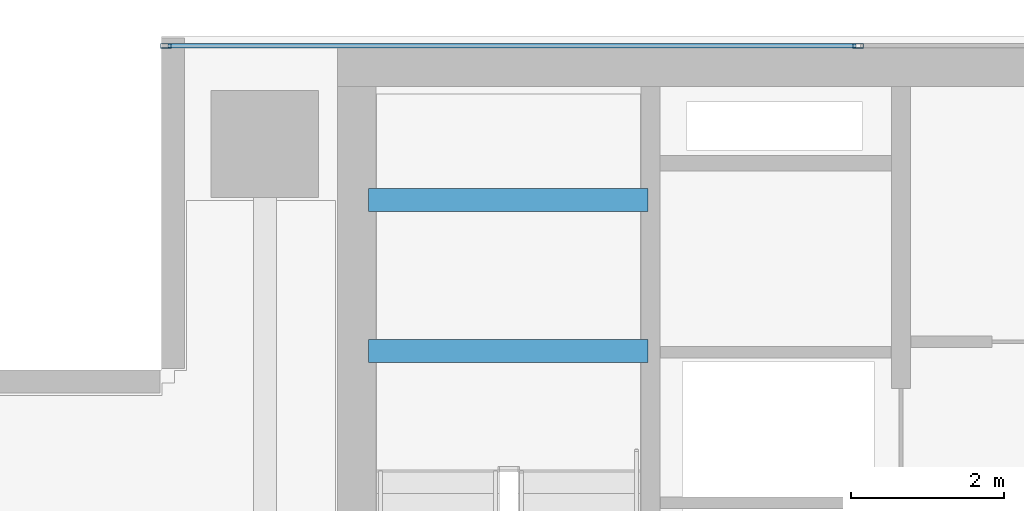
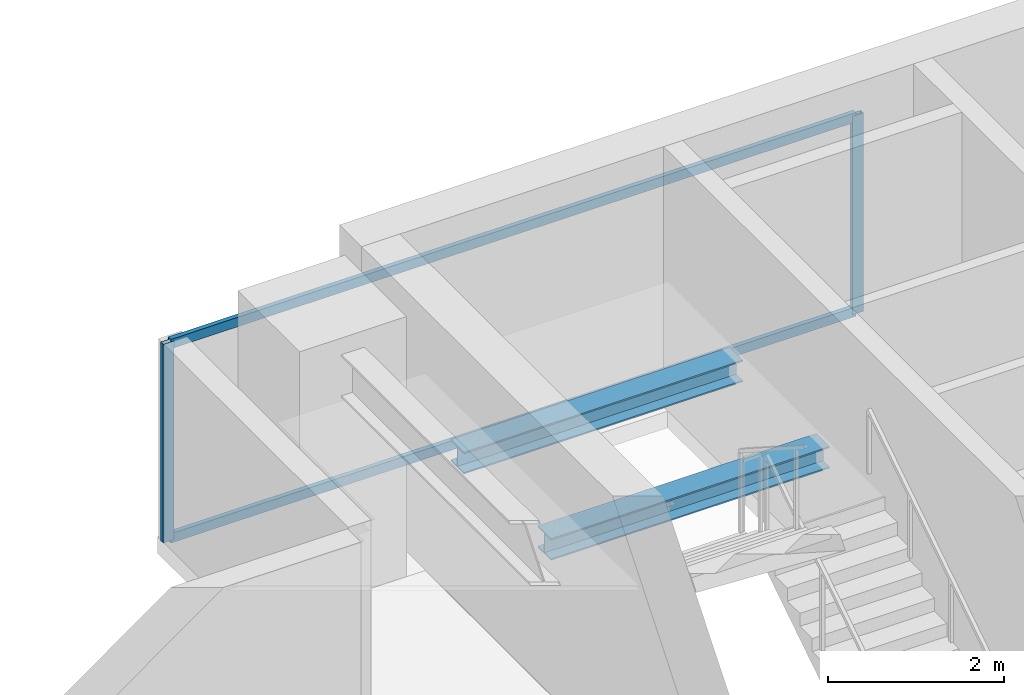
# One storey, part 15 of 25: 4 members, 2 beams, 1 element without a shape of its own.
"""IFC4 building model written with IfcOpenShell, lengths in metres."""

import ifcopenshell
import ifcopenshell.guid

model = None  # the IFC model being written
_history = None  # IfcOwnerHistory: only IFC2X3 demands one
_inside = {}  # id of a spatial element -> (the spatial element, [elements in it])
_under = {}  # id of a project, library or spatial element -> (it, [spatial elements below it])
_declared = {}  # id of a project -> (the project, [libraries it declares])
_typed = {}  # id of a type object -> (the type object, [elements of that type])
_made_of = {}  # id of a material, layer set ... -> (it, [elements and type objects made of it])


def new_model(schema):
    """Start an empty IFC model of exactly this schema.

    Asked for "IFC4X3", IfcOpenShell would pick the latest addendum, in which some entities
    have other attributes; the version numbers below select the first issue.
    IFC2X3 requires an IfcOwnerHistory on every rooted entity: one is made here for all.
    """
    global model, _history
    if schema == "IFC4X3":
        model = ifcopenshell.file(schema_version=(4, 3, 0, 0))
    else:
        model = ifcopenshell.file(schema=schema)
    _inside.clear()
    _under.clear()
    _declared.clear()
    _typed.clear()
    _made_of.clear()
    _history = None
    if model.schema == "IFC2X3":
        org = make("IfcOrganization", Name="unknown")
        user = make(
            "IfcPersonAndOrganization",
            ThePerson=make("IfcPerson", FamilyName="unknown"),
            TheOrganization=org,
        )
        app = make(
            "IfcApplication",
            ApplicationDeveloper=org,
            Version="unknown",
            ApplicationFullName="unknown",
            ApplicationIdentifier="unknown",
        )
        _history = make(
            "IfcOwnerHistory",
            OwningUser=user,
            OwningApplication=app,
            ChangeAction="ADDED",
            CreationDate=0,
        )
    return model


def make(cls, **values):
    """One entity of the class cls with the attributes given. An attribute that is None is left unset."""
    return model.create_entity(
        cls, **{name: value for name, value in values.items() if value is not None}
    )


def rooted(cls, **values):
    """An entity with a GlobalId (a new one), such as an element, a storey or a relation."""
    return make(cls, GlobalId=ifcopenshell.guid.new(), OwnerHistory=_history, **values)


def si_unit(unit_type, name, prefix=None):
    """IfcSIUnit, for example si_unit("LENGTHUNIT", "METRE", prefix="MILLI")."""
    return make("IfcSIUnit", UnitType=unit_type, Prefix=prefix, Name=name)


def assignment(units):
    """IfcUnitAssignment: the units of a project."""
    return None if units is None else make("IfcUnitAssignment", Units=units)


def point(xyz):
    """IfcCartesianPoint."""
    return None if xyz is None else make("IfcCartesianPoint", Coordinates=xyz)


def direction(xyz):
    """IfcDirection."""
    return None if xyz is None else make("IfcDirection", DirectionRatios=xyz)


def frame(location, z_axis=None, x_axis=None):
    """IfcAxis2Placement3D, a coordinate frame: its origin and axes. An axis left out is left unset."""
    return make(
        "IfcAxis2Placement3D",
        Location=point(location),
        Axis=direction(z_axis),
        RefDirection=direction(x_axis),
    )


def frame_2d(location, x_axis=None):
    """IfcAxis2Placement2D, a coordinate frame in the plane: its origin and x axis."""
    return make(
        "IfcAxis2Placement2D", Location=point(location), RefDirection=direction(x_axis)
    )


def origin():
    """The frame at (0, 0, 0) with its axes left unset."""
    return frame((0.0, 0.0, 0.0))


def origin_2d():
    """The frame at (0, 0) in the plane with its x axis left unset."""
    return frame_2d((0.0, 0.0))


def place(relative_to, where):
    """IfcLocalPlacement: puts the frame where relative to a parent placement (None: the world)."""
    return make(
        "IfcLocalPlacement", PlacementRelTo=relative_to, RelativePlacement=where
    )


def context(
    kind, dimensions, precision=None, world=None, true_north=None, identifier=None
):
    """IfcGeometricRepresentationContext, for example the 3D "Model" context."""
    return make(
        "IfcGeometricRepresentationContext",
        ContextIdentifier=identifier,
        ContextType=kind,
        CoordinateSpaceDimension=dimensions,
        Precision=precision,
        WorldCoordinateSystem=world,
        TrueNorth=true_north,
    )


def subcontext(parent, identifier, kind, view, scale=None):
    """IfcGeometricRepresentationSubContext, for example "Body" below "Model"."""
    return make(
        "IfcGeometricRepresentationSubContext",
        ContextIdentifier=identifier,
        ContextType=kind,
        ParentContext=parent,
        TargetScale=scale,
        TargetView=view,
    )


def project(units=None, contexts=None):
    """IfcProject with its units and contexts."""
    return rooted(
        "IfcProject",
        Name="project",
        RepresentationContexts=contexts,
        UnitsInContext=assignment(units),
    )


def spatial(cls, under=None, at=None, **own):
    """A site, building, storey or space (cls), placed at a placement, below another one or the project."""
    s = rooted(cls, ObjectPlacement=at, **own)
    if under is not None:
        _under.setdefault(under.id(), (under, []))[1].append(s)
    return s


def profile(cls, at=None, kind="AREA", **sizes):
    """A parametric profile (cls). Its sizes go by their IFC names, for example OverallWidth=200.0."""
    return make(cls, ProfileType=kind, Position=at, **sizes)


def hollow_rectangle(**sizes):
    """IfcRectangleHollowProfileDef."""
    return profile("IfcRectangleHollowProfileDef", **sizes)


def i_section(**sizes):
    """IfcIShapeProfileDef."""
    return profile("IfcIShapeProfileDef", **sizes)


def extrude(swept, where, along, depth):
    """IfcExtrudedAreaSolid: the profile swept, set in the frame where, extruded along a direction by depth."""
    return make(
        "IfcExtrudedAreaSolid",
        SweptArea=swept,
        Position=where,
        ExtrudedDirection=direction(along),
        Depth=depth,
    )


def shape(context_of_items, identifier, shape_type, items):
    """IfcShapeRepresentation: the items that make up one representation, for example the "Body"."""
    return make(
        "IfcShapeRepresentation",
        ContextOfItems=context_of_items,
        RepresentationIdentifier=identifier,
        RepresentationType=shape_type,
        Items=items,
    )


def source(mapping_origin, context_of_items, identifier, shape_type, items):
    """IfcRepresentationMap: a shape defined once, which mapped items show again and again."""
    return make(
        "IfcRepresentationMap",
        MappingOrigin=mapping_origin,
        MappedRepresentation=shape(context_of_items, identifier, shape_type, items),
    )


def transform(
    local_origin,
    x_axis=None,
    y_axis=None,
    z_axis=None,
    scale=None,
    scale2=None,
    scale3=None,
    uniform=True,
):
    """IfcCartesianTransformationOperator3D, or its non-uniform kind. x_axis, y_axis, z_axis: its Axis1, 2, 3."""
    if uniform:
        return make(
            "IfcCartesianTransformationOperator3D",
            Axis1=direction(x_axis),
            Axis2=direction(y_axis),
            LocalOrigin=point(local_origin),
            Scale=scale,
            Axis3=direction(z_axis),
        )
    return make(
        "IfcCartesianTransformationOperator3DnonUniform",
        Axis1=direction(x_axis),
        Axis2=direction(y_axis),
        LocalOrigin=point(local_origin),
        Scale=scale,
        Axis3=direction(z_axis),
        Scale2=scale2,
        Scale3=scale3,
    )


def mapped(mapping_source, mapping_target):
    """IfcMappedItem: shows the shape of a source again, moved by a transform."""
    return make(
        "IfcMappedItem", MappingSource=mapping_source, MappingTarget=mapping_target
    )


def material(Name=None, Category=None):
    """IfcMaterial."""
    return make("IfcMaterial", Name=Name, Category=Category)


def layer(
    of_material, thickness, ventilated=None, Name=None, Category=None, Priority=None
):
    """IfcMaterialLayer: one layer of a wall or slab, of a material (None: an air gap)."""
    return make(
        "IfcMaterialLayer",
        Material=of_material,
        LayerThickness=thickness,
        IsVentilated=ventilated,
        Name=Name,
        Category=Category,
        Priority=Priority,
    )


def layer_set(layers, Name=None):
    """IfcMaterialLayerSet."""
    return make("IfcMaterialLayerSet", MaterialLayers=layers, LayerSetName=Name)


def material_profile(
    of_material, cross_section, Name=None, Category=None, Priority=None
):
    """IfcMaterialProfile: a cross section and its material."""
    return make(
        "IfcMaterialProfile",
        Name=Name,
        Material=of_material,
        Profile=cross_section,
        Priority=Priority,
        Category=Category,
    )


def profile_set(profiles, Name=None, composite=None):
    """IfcMaterialProfileSet."""
    return make(
        "IfcMaterialProfileSet",
        Name=Name,
        MaterialProfiles=profiles,
        CompositeProfile=composite,
    )


def made_of(thing, what):
    """Note that an element or type object is made of a material, layer set ...; save() writes the relation."""
    if what is not None:
        _made_of.setdefault(what.id(), (what, []))[1].append(thing)
    return thing


def type_object(cls, material=None, **own):
    """A type object (cls), such as IfcWallType, which elements share."""
    return made_of(rooted(cls, **own), material)


def element(
    cls,
    number,
    at=None,
    inside=None,
    cuts=None,
    type_object=None,
    material=None,
    context=None,
    identifier="Body",
    shape_type=None,
    held_by="IfcProductDefinitionShape",
    body=None,
    shapes=None,
    **own,
):
    """One element of the class cls, such as IfcWall. Its Tag is "e" and its number.

    at: its placement. inside: the storey or other place that contains it. cuts: it is an
    opening in that element (IfcRelVoidsElement). A single representation is given by context,
    identifier, shape_type and body (its items); several are given by shapes. held_by: the class
    of the entity that holds the representations. save() writes the other relations.
    """
    e = rooted(cls, Tag="e%d" % number, ObjectPlacement=at, **own)
    if body is not None:
        shapes = [shape(context, identifier, shape_type, body)]
    if shapes is not None:
        e.Representation = make(held_by, Representations=shapes)
    if inside is not None:
        _inside.setdefault(inside.id(), (inside, []))[1].append(e)
    if cuts is not None:
        rooted(
            "IfcRelVoidsElement", RelatingBuildingElement=cuts, RelatedOpeningElement=e
        )
    if type_object is not None:
        _typed.setdefault(type_object.id(), (type_object, []))[1].append(e)
    return made_of(e, material)


def aggregate(whole, parts):
    """IfcRelAggregates: a whole, such as a stair, and the parts it consists of."""
    return rooted("IfcRelAggregates", RelatingObject=whole, RelatedObjects=parts)


def save(model, path):
    """Write the relations noted so far, then the file.

    IfcRelAggregates (storeys below a building ...), IfcRelContainedInSpatialStructure (elements
    in a storey), IfcRelDefinesByType, IfcRelAssociatesMaterial and IfcRelDeclares: one each for
    every whole, place, type object, material and project.
    """
    for whole, parts in _under.values():
        aggregate(whole, parts)
    for where, things in _inside.values():
        rooted(
            "IfcRelContainedInSpatialStructure",
            RelatedElements=things,
            RelatingStructure=where,
        )
    for kind, things in _typed.values():
        rooted("IfcRelDefinesByType", RelatedObjects=things, RelatingType=kind)
    for what, things in _made_of.values():
        rooted("IfcRelAssociatesMaterial", RelatedObjects=things, RelatingMaterial=what)
    for by, libraries in _declared.values():
        rooted("IfcRelDeclares", RelatingContext=by, RelatedDefinitions=libraries)
    model.write(path)


model = new_model("IFC4")

# Units and contexts
model_context = context("Model", 3, precision=1e-05, world=origin(), true_north=direction((0.0, 1.0)))
body_context = subcontext(model_context, "Body", "Model", "MODEL_VIEW")
ifc_project = project(units=[si_unit("LENGTHUNIT", "METRE"), si_unit("AREAUNIT", "SQUARE_METRE"), si_unit("VOLUMEUNIT", "CUBIC_METRE"), si_unit("PLANEANGLEUNIT", "RADIAN"), si_unit("MASSUNIT", "GRAM", prefix="KILO")], contexts=[model_context])

# Site, building, storey
site_placement = place(None, origin())
site = spatial("IfcSite", under=ifc_project, at=site_placement, CompositionType="ELEMENT")
building_placement = place(site_placement, origin())
building = spatial("IfcBuilding", under=site, at=building_placement, Name="Sumidabori Civic Tower", CompositionType="ELEMENT")
storey_placement = place(building_placement, frame((0.0, 0.0, 239.60009765625)))
storey = spatial("IfcBuildingStorey", under=building, at=storey_placement, Name="L62", CompositionType="ELEMENT", Elevation=239.60009765625)

# Beams
ifc_material_1 = material(Name="Steel SN490", Category="steel")
ifc_material_profile_1 = material_profile(ifc_material_1, i_section(OverallWidth=0.300048828125, OverallDepth=0.300048828125, WebThickness=0.010986328125, FlangeThickness=0.01904296875, at=origin_2d()), Name="HE 300 B")
ifc_profile_set_1 = profile_set([ifc_material_profile_1], Name="Steel SN490")
beam_type = type_object("IfcBeamType", Name="BM-LDG-300", PredefinedType="BEAM", material=ifc_profile_set_1)
shared_shape_1 = source(origin(), body_context, "Body", "SweptSolid", [
    extrude(i_section(OverallWidth=0.300048828125, OverallDepth=0.300048828125, WebThickness=0.010986328125, FlangeThickness=0.01904296875, at=origin_2d()), origin(), (0.0, 0.0, 1.0), 3.64990234375),
])
for number, where, z_axis, x_axis, name in (
    (1, (-15.449951171875, 20.09765625, 1.449951171875), (1.0, 0.0, 0.0), (0.0, 1.0, 0.0), "Stair ST-1 Landing Support Beam L62-1A"),
    (2, (-15.449951171875, 22.069580078125, 1.449951171875), (1.0, 0.0, 0.0), (0.0, 1.0, 0.0), "Stair ST-1 Landing Trimmer Beam L62-1B"),
):
    element("IfcBeam", number, at=place(storey_placement, frame(where, z_axis=z_axis, x_axis=x_axis)), inside=storey, type_object=beam_type, Name=name, PredefinedType="BEAM", context=body_context, shape_type="MappedRepresentation", body=[
        mapped(shared_shape_1, transform((0.0, 0.0, 0.0), x_axis=(1.0, 0.0, 0.0), y_axis=(0.0, 1.0, 0.0), z_axis=(0.0, 0.0, 1.0), scale=1.0)),
    ])

# Curtain wall, members
ifc_material_2 = material(Name="Anodised Bronze Aluminium AW-6063-T6", Category="aluminium")
ifc_layer = layer(ifc_material_2, 0.179931640625, Name="Anodised Bronze Aluminium AW-6063-T6")
ifc_layer_set = layer_set([ifc_layer], Name="Anodised Bronze Aluminium AW-6063-T6")
curtain_wall_type = type_object("IfcCurtainWallType", Name="CW-SYS-5", PredefinedType="NOTDEFINED", material=ifc_layer_set)
curtain_wall_placement = place(storey_placement, origin())
curtain_wall = element("IfcCurtainWall", 3, at=curtain_wall_placement, inside=storey, type_object=curtain_wall_type, Name="Curtain Wall CW:L62:R07", PredefinedType="NOTDEFINED")
ifc_material_profile_2 = material_profile(ifc_material_2, hollow_rectangle(XDim=0.06005859375, YDim=0.139892578125, WallThickness=0.0048828125, at=origin_2d()), Name="ALU MULLION 140x60")
ifc_profile_set_2 = profile_set([ifc_material_profile_2], Name="Anodised Bronze Aluminium AW-6063-T6")
member_type_1 = type_object("IfcMemberType", Name="CW-MUL-140", PredefinedType="MULLION", material=ifc_profile_set_2)
shared_shape_2 = source(origin(), body_context, "Body", "SweptSolid", [
    extrude(hollow_rectangle(XDim=0.06005859375, YDim=0.139892578125, WallThickness=0.0048828125, at=origin_2d()), origin(), (0.0, 0.0, 1.0), 2.75),
])
member_1_placement = place(storey_placement, frame((-9.06005859375, 24.080078125, 0.0), z_axis=(0.0, 0.0, 1.0), x_axis=(0.0, -1.0, 0.0)))
member_1 = element("IfcMember", 4, at=member_1_placement, type_object=member_type_1, Name="CW-5 mullion 4", PredefinedType="MULLION", context=body_context, shape_type="MappedRepresentation", body=[
    mapped(shared_shape_2, transform((0.0, 0.0, 0.0), x_axis=(1.0, 0.0, 0.0), y_axis=(0.0, 1.0, 0.0), z_axis=(0.0, 0.0, 1.0), scale=1.0)),
])
member_2_placement = place(storey_placement, frame((-18.090087890625, 24.080078125, 0.0), z_axis=(0.0, 0.0, 1.0), x_axis=(0.0, -1.0, 0.0)))
member_2 = element("IfcMember", 5, at=member_2_placement, type_object=member_type_1, Name="CW-5 mullion 5", PredefinedType="MULLION", context=body_context, shape_type="MappedRepresentation", body=[
    mapped(shared_shape_2, transform((0.0, 0.0, 0.0), x_axis=(1.0, 0.0, 0.0), y_axis=(0.0, 1.0, 0.0), z_axis=(0.0, 0.0, 1.0), scale=1.0)),
])
ifc_material_profile_3 = material_profile(ifc_material_2, hollow_rectangle(XDim=0.06005859375, YDim=0.1298828125, WallThickness=0.0048828125, at=origin_2d()), Name="ALU TRANSOM 130x60")
ifc_profile_set_3 = profile_set([ifc_material_profile_3], Name="Anodised Bronze Aluminium AW-6063-T6")
member_type_2 = type_object("IfcMemberType", Name="CW-TRN-130", PredefinedType="USERDEFINED", material=ifc_profile_set_3)
shared_shape_3 = source(origin(), body_context, "Body", "SweptSolid", [
    extrude(hollow_rectangle(XDim=0.06005859375, YDim=0.1298828125, WallThickness=0.0048828125, at=origin_2d()), origin(), (0.0, 0.0, 1.0), 8.969970703125),
])
member_3_placement = place(storey_placement, frame((-9.090087890625, 24.080078125, 0.02978515625), z_axis=(-1.0, 0.0, 0.0), x_axis=(0.0, -1.0, 0.0)))
member_3 = element("IfcMember", 6, at=member_3_placement, type_object=member_type_2, Name="CW-5 transom 4.1", ObjectType="TRANSOM", PredefinedType="USERDEFINED", context=body_context, shape_type="MappedRepresentation", body=[
    mapped(shared_shape_3, transform((0.0, 0.0, 0.0), x_axis=(1.0, 0.0, 0.0), y_axis=(0.0, 1.0, 0.0), z_axis=(0.0, 0.0, 1.0), scale=1.0)),
])
member_4_placement = place(storey_placement, frame((-9.090087890625, 24.080078125, 2.719970703125), z_axis=(-1.0, 0.0, 0.0), x_axis=(0.0, -1.0, 0.0)))
member_4 = element("IfcMember", 7, at=member_4_placement, type_object=member_type_2, Name="CW-5 transom 4.2", ObjectType="TRANSOM", PredefinedType="USERDEFINED", context=body_context, shape_type="MappedRepresentation", body=[
    mapped(shared_shape_3, transform((0.0, 0.0, 0.0), x_axis=(1.0, 0.0, 0.0), y_axis=(0.0, 1.0, 0.0), z_axis=(0.0, 0.0, 1.0), scale=1.0)),
])
aggregate(curtain_wall, [member_1, member_2, member_3, member_4])

save(model, "model.ifc")
